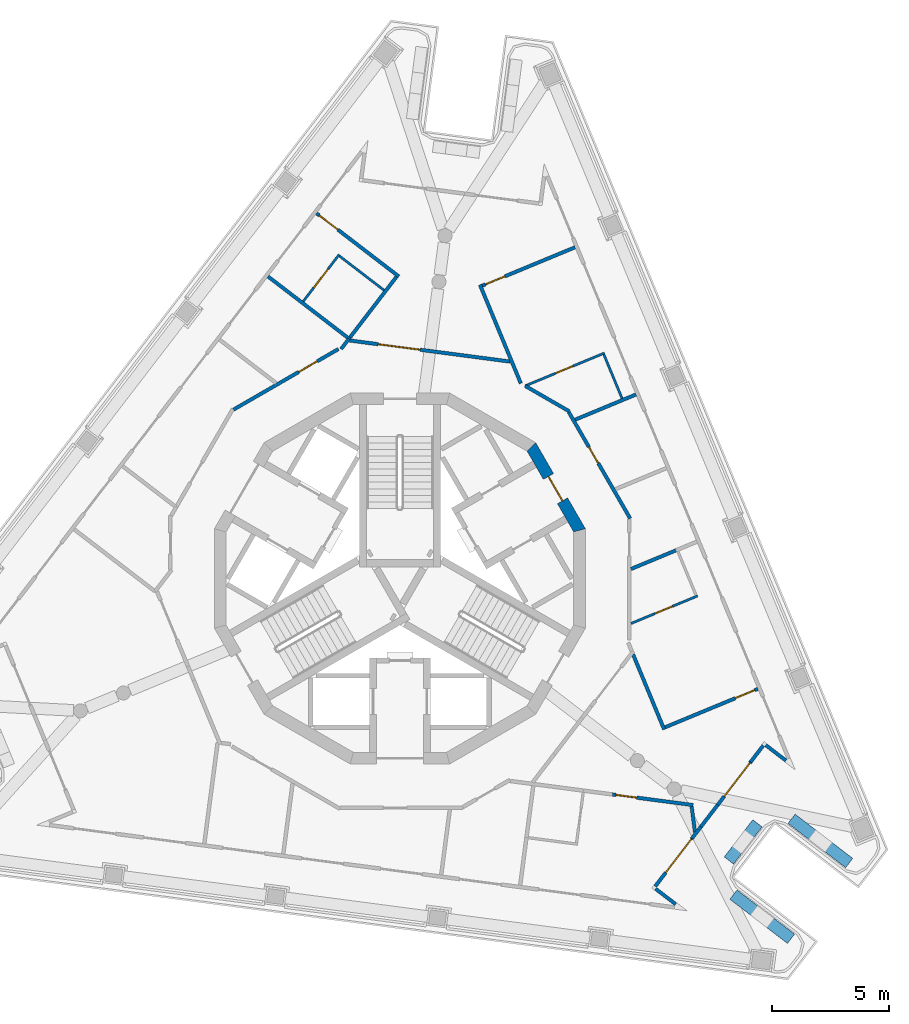
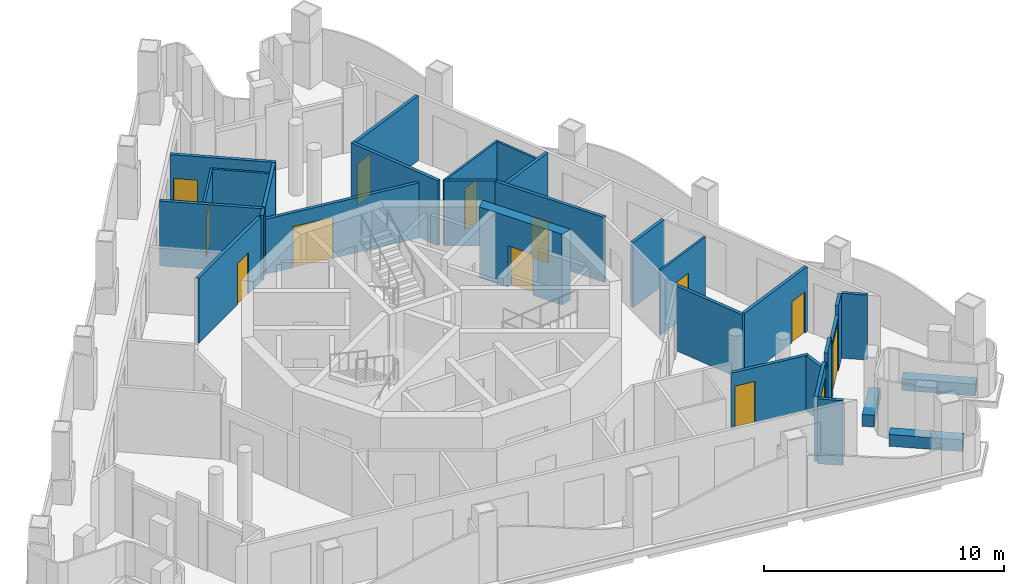
# One storey, part 5 of 12: 32 walls, 13 doors, 13 openings.
"""IFC4 building model written with IfcOpenShell, lengths in metres."""

from ifc_helpers import new_model, si_unit, direction, frame, frame_2d, origin, place, context, subcontext, project, spatial, polyline, rectangle, outline, extrude, material, layer, layer_set, type_object, element, fill, save


model = new_model("IFC4")

# Units and contexts
model_context = context("Model", 3, precision=1e-05, world=origin(), true_north=direction((0.0, 1.0)))
body_context = subcontext(model_context, "Body", "Model", "MODEL_VIEW")
ifc_project = project(units=[si_unit("LENGTHUNIT", "METRE"), si_unit("AREAUNIT", "SQUARE_METRE"), si_unit("VOLUMEUNIT", "CUBIC_METRE"), si_unit("PLANEANGLEUNIT", "RADIAN"), si_unit("MASSUNIT", "GRAM", prefix="KILO")], contexts=[model_context])

# Site, building, storey
site_placement = place(None, origin())
site = spatial("IfcSite", under=ifc_project, at=site_placement, CompositionType="ELEMENT")
building_placement = place(site_placement, origin())
building = spatial("IfcBuilding", under=site, at=building_placement, Name="Trine Commons Tower", CompositionType="ELEMENT")
storey_placement = place(building_placement, frame((0.0, 0.0, 289.800048828125)))
storey = spatial("IfcBuildingStorey", under=building, at=storey_placement, Name="L76", CompositionType="ELEMENT", Elevation=289.800048828125)

# Walls
ifc_material_1 = material(Name="Aluminium-framed insulated wall panel", Category="aluminium")
ifc_layer_1 = layer(ifc_material_1, 0.14990234375)
ifc_layer_set_1 = layer_set([ifc_layer_1], Name="Aluminium-framed insulated wall panel")
wall_type_1 = type_object("IfcWallType", Name="Glazed frame wall 150, EI 60", PredefinedType="SOLIDWALL", material=ifc_layer_set_1)
wall_1_placement = place(storey_placement, frame((96.600830078125, 54.633544921875, 0.0), z_axis=(0.0, 0.0, 1.0), x_axis=(-0.793352136239, 0.608762998157, 0.0)))
element("IfcWall", 1, at=wall_1_placement, inside=storey, type_object=wall_type_1, Name="Glazed frame wall R6", PredefinedType="SOLIDWALL", context=body_context, shape_type="SweptSolid", body=[
    extrude(outline(polyline([(0.1494140625, 0.074951171875), (0.1494140625, -0.074951171875), (1.235107421875, -0.074951171875), (1.235107421875, 0.074951171875), (0.1494140625, 0.074951171875)])), origin(), (0.0, 0.0, 1.0), 3.300048828125),
])
wall_2_placement = place(storey_placement, frame((95.582763671875, 55.458740234375, 0.0), z_axis=(0.0, 0.0, 1.0), x_axis=(-0.60863653794, -0.793449156962, 0.0)))
element("IfcWall", 2, at=wall_2_placement, inside=storey, type_object=wall_type_1, Name="Glazed frame wall P2.1", PredefinedType="SOLIDWALL", context=body_context, shape_type="SweptSolid", body=[
    extrude(outline(polyline([(0.110107421875, -0.074951171875), (1.0, -0.074951171875), (1.0, 0.074951171875), (0.110107421875, 0.074951171875), (0.110107421875, -0.074951171875)])), origin(), (0.0, 0.0, 1.0), 3.300048828125),
])

# Wall, opening, door
wall_3_placement = place(storey_placement, frame((94.97412109375, 54.665283203125, 0.0), z_axis=(0.0, 0.0, 1.0), x_axis=(-0.608821878019, -0.793306952475, 0.0)))
wall_3 = element("IfcWall", 3, at=wall_3_placement, inside=storey, type_object=wall_type_1, Name="Glazed frame wall P2.2", PredefinedType="SOLIDWALL", context=body_context, shape_type="SweptSolid", body=[
    extrude(outline(polyline([(0.0, -0.074951171875), (2.310791015625, -0.074951171875), (2.310791015625, 0.074951171875), (0.0, 0.074951171875), (0.0, -0.074951171875)])), origin(), (0.0, 0.0, 1.0), 2.800048828125),
])
opening_1_placement = place(wall_3_placement, frame((0.050048828125, 0.0, 0.0)))
opening_1 = element("IfcOpeningElement", 4, at=opening_1_placement, cuts=wall_3, Name="Opening BD-8P2-01", PredefinedType="OPENING", context=body_context, shape_type="SweptSolid", body=[
    extrude(rectangle(XDim=1.800048828125, YDim=2.60009765625, at=frame_2d((0.89990234375, 1.300048828125))), frame((0.0, 0.0849609375, 0.0), z_axis=(0.0, -1.0, 0.0), x_axis=(1.0, 0.0, 0.0)), (0.0, 0.0, 1.0), 0.169921875),
])
ifc_material_2 = material(Name="Anodised aluminium frame with double glazing", Category="aluminium")
door_type_1 = type_object("IfcDoorType", Name="Sliding loggia door 1800x2600", OperationType="SLIDING_TO_LEFT", PredefinedType="DOOR", material=ifc_material_2)
door_1_placement = place(opening_1_placement, origin())
door_1 = element("IfcDoor", 5, at=door_1_placement, inside=storey, type_object=door_type_1, Name="Loggia door P2 1", OperationType="SLIDING_TO_LEFT", OverallHeight=2.60009765625, OverallWidth=1.800048828125, PredefinedType="DOOR", context=body_context, shape_type="SweptSolid", body=[
    extrude(rectangle(XDim=1.800048828125, YDim=2.60009765625, at=frame_2d((0.89990234375, 1.300048828125))), frame((0.0, 0.02490234375, 0.0), z_axis=(0.0, -1.0, 0.0), x_axis=(1.0, 0.0, 0.0)), (0.0, 0.0, 1.0), 0.050048828125),
])
fill(opening_1, door_1)

# Walls
wall_4_placement = place(storey_placement, frame((93.5673828125, 52.832275390625, 0.0), z_axis=(0.0, 0.0, 1.0), x_axis=(-0.608779373124, -0.793339570965, 0.0)))
element("IfcWall", 6, at=wall_4_placement, inside=storey, type_object=wall_type_1, Name="Glazed frame wall P2.3", PredefinedType="SOLIDWALL", context=body_context, shape_type="SweptSolid", body=[
    extrude(outline(polyline([(0.0, -0.074951171875), (1.1787109375, -0.074951171875), (1.1787109375, 0.074951171875), (0.0, 0.074951171875), (0.0, -0.074951171875)])), origin(), (0.0, 0.0, 1.0), 3.300048828125),
])
wall_5_placement = place(storey_placement, frame((92.849853515625, 51.897216796875, 0.0), z_axis=(0.0, 0.0, 1.0), x_axis=(-0.608636160299, -0.793449446642, 0.0)))
element("IfcWall", 7, at=wall_5_placement, inside=storey, type_object=wall_type_1, Name="Glazed frame wall P2.4", PredefinedType="SOLIDWALL", context=body_context, shape_type="SweptSolid", body=[
    extrude(outline(polyline([(0.0, -0.074951171875), (0.6259765625, -0.074951171875), (0.6259765625, 0.074951171875), (0.0, 0.074951171875), (0.0, -0.074951171875)])), origin(), (0.0, 0.0, 1.0), 2.800048828125),
])

# Wall, opening, door
wall_6_placement = place(storey_placement, frame((92.46875, 51.400390625, 0.0), z_axis=(0.0, 0.0, 1.0), x_axis=(-0.608752233998, -0.793360395787, 0.0)))
wall_6 = element("IfcWall", 8, at=wall_6_placement, inside=storey, type_object=wall_type_1, Name="Glazed frame wall P2.5", PredefinedType="SOLIDWALL", context=body_context, shape_type="SweptSolid", body=[
    extrude(outline(polyline([(2.57470703125, 0.074951171875), (0.0, 0.074951171875), (0.0, -0.074951171875), (2.57470703125, -0.074951171875), (2.57470703125, 0.074951171875)])), origin(), (0.0, 0.0, 1.0), 3.300048828125),
])
opening_2_placement = place(wall_6_placement, frame((0.03466796875, 0.0, 0.0)))
opening_2 = element("IfcOpeningElement", 9, at=opening_2_placement, cuts=wall_6, Name="Opening BD-8P2-02", PredefinedType="OPENING", context=body_context, shape_type="SweptSolid", body=[
    extrude(rectangle(XDim=1.800048828125, YDim=2.60009765625, at=frame_2d((0.89990234375, 1.300048828125))), frame((0.0, 0.0849609375, 0.0), z_axis=(0.0, -1.0, 0.0), x_axis=(1.0, 0.0, 0.0)), (0.0, 0.0, 1.0), 0.169921875),
])
door_2_placement = place(opening_2_placement, origin())
door_2 = element("IfcDoor", 10, at=door_2_placement, inside=storey, type_object=door_type_1, Name="Loggia door P2 2", OperationType="SLIDING_TO_LEFT", OverallHeight=2.60009765625, OverallWidth=1.800048828125, PredefinedType="DOOR", context=body_context, shape_type="SweptSolid", body=[
    extrude(rectangle(XDim=1.800048828125, YDim=2.60009765625, at=frame_2d((0.89990234375, 1.300048828125))), frame((0.0, 0.02490234375, 0.0), z_axis=(0.0, -1.0, 0.0), x_axis=(1.0, 0.0, 0.0)), (0.0, 0.0, 1.0), 0.050048828125),
])
fill(opening_2, door_2)

# Walls
wall_7_placement = place(storey_placement, frame((90.827880859375, 49.319580078125, 0.0), z_axis=(0.0, 0.0, 1.0), x_axis=(0.793439797287, -0.608648739488, 0.0)))
element("IfcWall", 11, at=wall_7_placement, inside=storey, type_object=wall_type_1, Name="Glazed frame wall R8", PredefinedType="SOLIDWALL", context=body_context, shape_type="SweptSolid", body=[
    extrude(outline(polyline([(0.110107421875, 0.074951171875), (0.110107421875, -0.074951171875), (1.19580078125, -0.074951171875), (1.19580078125, 0.074951171875), (0.110107421875, 0.074951171875)])), origin(), (0.0, 0.0, 1.0), 3.300048828125),
])
ifc_material_3 = material(Name="Planter trough, precast concrete C40/50", Category="concrete")
ifc_layer_2 = layer(ifc_material_3, 0.5)
ifc_layer_set_2 = layer_set([ifc_layer_2], Name="Planter trough, precast concrete C40/50")
wall_type_2 = type_object("IfcWallType", Name="Planter trough 500x600", PredefinedType="PARAPET", material=ifc_layer_set_2)
wall_8_placement = place(storey_placement, frame((99.182861328125, 50.351806640625, 0.0), z_axis=(0.0, 0.0, 1.0), x_axis=(-0.793355321014, 0.608758847671, 0.0)))
element("IfcWall", 12, at=wall_8_placement, inside=storey, type_object=wall_type_2, Name="Planter 7", PredefinedType="PARAPET", context=body_context, shape_type="SweptSolid", body=[
    extrude(rectangle(XDim=3.10009765625, YDim=0.5, at=frame_2d((1.550048828125, 0.0))), origin(), (0.0, 0.0, 1.0), 0.599853515625),
])
wall_9_placement = place(storey_placement, frame((95.265380859375, 52.047119140625, 0.0), z_axis=(0.0, 0.0, 1.0), x_axis=(-0.608790203715, -0.793331259853, 0.0)))
element("IfcWall", 13, at=wall_9_placement, inside=storey, type_object=wall_type_2, Name="Planter 8", PredefinedType="PARAPET", context=body_context, shape_type="SweptSolid", body=[
    extrude(rectangle(XDim=2.000244140625, YDim=0.5, at=frame_2d((1.0, 0.0))), origin(), (0.0, 0.0, 1.0), 0.599853515625),
])
wall_10_placement = place(storey_placement, frame((94.23974609375, 49.002197265625, 0.0), z_axis=(0.0, 0.0, 1.0), x_axis=(0.793355321014, -0.608758847671, 0.0)))
element("IfcWall", 14, at=wall_10_placement, inside=storey, type_object=wall_type_2, Name="Planter 9", PredefinedType="PARAPET", context=body_context, shape_type="SweptSolid", body=[
    extrude(rectangle(XDim=3.10009765625, YDim=0.5, at=frame_2d((1.550048828125, 0.0))), origin(), (0.0, 0.0, 1.0), 0.599853515625),
])

# Wall, opening, door
ifc_material_4 = material(Name="Concrete C50/60", Category="concrete")
ifc_layer_3 = layer(ifc_material_4, 0.5)
ifc_layer_set_3 = layer_set([ifc_layer_3], Name="Concrete C50/60")
wall_type_3 = type_object("IfcWallType", Name="RC shear wall 500 mm, C50/60", PredefinedType="SHEAR", material=ifc_layer_set_3)
wall_11_placement = place(storey_placement, frame((87.7041015625, 64.497314453125, 0.0), z_axis=(0.0, 0.0, 1.0), x_axis=(-0.499992968425, 0.866029463428, 0.0)))
wall_11 = element("IfcWall", 15, at=wall_11_placement, inside=storey, type_object=wall_type_3, Name="Core wall CWH-02 L76", PredefinedType="SHEAR", context=body_context, shape_type="SweptSolid", body=[
    extrude(outline(polyline([(0.0, -0.25), (4.24462890625, -0.25), (4.110595703125, 0.25), (0.134033203125, 0.25), (0.0, -0.25)])), origin(), (0.0, 0.0, 1.0), 3.599853515625),
])
opening_3_placement = place(wall_11_placement, frame((1.5224609375, 0.0, 0.0)))
opening_3 = element("IfcOpeningElement", 16, at=opening_3_placement, cuts=wall_11, Name="Opening K18.04", PredefinedType="OPENING", context=body_context, shape_type="SweptSolid", body=[
    extrude(rectangle(XDim=1.199951171875, YDim=2.10009765625, at=frame_2d((0.60009765625, 1.050048828125))), frame((0.0, 0.260009765625, 0.0), z_axis=(0.0, -1.0, 0.0), x_axis=(1.0, 0.0, 0.0)), (0.0, 0.0, 1.0), 0.52001953125),
])
ifc_material_5 = material(Name="Steel door leaves, fire-rated", Category="steel")
door_type_2 = type_object("IfcDoorType", Name="Lobby door, double leaf 1200 x 2100, FD60", OperationType="DOUBLE_DOOR_SINGLE_SWING", PredefinedType="DOOR", material=ifc_material_5)
door_3_placement = place(opening_3_placement, origin())
door_3 = element("IfcDoor", 17, at=door_3_placement, inside=storey, type_object=door_type_2, Name="Lobby door, Core lounge L76", OperationType="DOUBLE_DOOR_SINGLE_SWING", OverallHeight=2.10009765625, OverallWidth=1.199951171875, PredefinedType="DOOR", context=body_context, shape_type="SweptSolid", body=[
    extrude(rectangle(XDim=1.199951171875, YDim=2.10009765625, at=frame_2d((0.60009765625, 1.050048828125))), frame((0.0, 0.02490234375, 0.0), z_axis=(0.0, -1.0, 0.0), x_axis=(1.0, 0.0, 0.0)), (0.0, 0.0, 1.0), 0.050048828125),
])
fill(opening_3, door_3)

ifc_material_6 = material(Name="Gypsum plasterboard on steel stud", Category="steel")
ifc_layer_4 = layer(ifc_material_6, 0.14990234375)
ifc_layer_set_4 = layer_set([ifc_layer_4], Name="Gypsum plasterboard on steel stud")
wall_type_4 = type_object("IfcWallType", Name="Unit and corridor wall 150 mm, EI 60", PredefinedType="PARTITIONING", material=ifc_layer_set_4)
wall_12_placement = place(storey_placement, frame((72.893798828125, 69.70849609375, 0.0), z_axis=(0.0, 0.0, 1.0), x_axis=(0.866010370781, 0.500026037022, 0.0)))
wall_12 = element("IfcWall", 18, at=wall_12_placement, inside=storey, type_object=wall_type_4, Name="Partition 014", PredefinedType="PARTITIONING", context=body_context, shape_type="SweptSolid", body=[
    extrude(rectangle(XDim=5.174560546875, YDim=0.14990234375, at=frame_2d((2.58740234375, 0.0))), origin(), (0.0, 0.0, 1.0), 3.300048828125),
])
opening_4_placement = place(wall_12_placement, frame((3.223876953125, 0.0, 0.0)))
opening_4 = element("IfcOpeningElement", 19, at=opening_4_placement, cuts=wall_12, Name="Opening D-8B06", PredefinedType="OPENING", context=body_context, shape_type="SweptSolid", body=[
    extrude(rectangle(XDim=0.89990234375, YDim=2.10009765625, at=frame_2d((0.449951171875, 1.050048828125))), frame((0.0, 0.0849609375, 0.0), z_axis=(0.0, -1.0, 0.0), x_axis=(1.0, 0.0, 0.0)), (0.0, 0.0, 1.0), 0.169921875),
])
ifc_material_7 = material(Name="Timber fire door set", Category="wood")
door_type_3 = type_object("IfcDoorType", Name="Service door 900 x 2100, FD30S", OperationType="NOTDEFINED", PredefinedType="DOOR", material=ifc_material_7)
door_4_placement = place(opening_4_placement, origin())
door_4 = element("IfcDoor", 20, at=door_4_placement, inside=storey, type_object=door_type_3, Name="Door D-8B06", OperationType="SINGLE_SWING_RIGHT", OverallHeight=2.10009765625, OverallWidth=0.89990234375, PredefinedType="DOOR", context=body_context, shape_type="SweptSolid", body=[
    extrude(rectangle(XDim=0.89990234375, YDim=2.10009765625, at=frame_2d((0.449951171875, 1.050048828125))), frame((0.0, 0.02490234375, 0.0), z_axis=(0.0, -1.0, 0.0), x_axis=(1.0, 0.0, 0.0)), (0.0, 0.0, 1.0), 0.050048828125),
])
fill(opening_4, door_4)

# Wall
wall_13_placement = place(storey_placement, frame((74.36865234375, 75.39453125, 0.0), z_axis=(0.0, 0.0, 1.0), x_axis=(0.793339619552, -0.608779309807, 0.0)))
element("IfcWall", 21, at=wall_13_placement, inside=storey, type_object=wall_type_4, Name="Partition 015", PredefinedType="PARTITIONING", context=body_context, shape_type="SweptSolid", body=[
    extrude(rectangle(XDim=4.435546875, YDim=0.14990234375, at=frame_2d((2.2177734375, 0.0))), origin(), (0.0, 0.0, 1.0), 3.300048828125),
])

# Wall, opening, door
wall_14_placement = place(storey_placement, frame((76.438720703125, 78.092529296875, 0.0), z_axis=(0.0, 0.0, 1.0), x_axis=(0.793339619552, -0.608779309807, 0.0)))
wall_14 = element("IfcWall", 22, at=wall_14_placement, inside=storey, type_object=wall_type_4, Name="Partition 018", PredefinedType="PARTITIONING", context=body_context, shape_type="SweptSolid", body=[
    extrude(rectangle(XDim=4.435546875, YDim=0.14990234375, at=frame_2d((2.2177734375, 0.0))), origin(), (0.0, 0.0, 1.0), 3.300048828125),
])
opening_5_placement = place(wall_14_placement, frame((0.14990234375, 0.0, 0.0)))
opening_5 = element("IfcOpeningElement", 23, at=opening_5_placement, cuts=wall_14, Name="Opening D-8B07", PredefinedType="OPENING", context=body_context, shape_type="SweptSolid", body=[
    extrude(rectangle(XDim=1.0, YDim=2.10009765625, at=frame_2d((0.5, 1.050048828125))), frame((0.0, 0.0849609375, 0.0), z_axis=(0.0, -1.0, 0.0), x_axis=(1.0, 0.0, 0.0)), (0.0, 0.0, 1.0), 0.169921875),
])
door_type_4 = type_object("IfcDoorType", Name="Bedroom door 1000 x 2100, FD30S", OperationType="NOTDEFINED", PredefinedType="DOOR", material=ifc_material_7)
door_5_placement = place(opening_5_placement, frame((1.0, 0.0, 0.0), z_axis=(0.0, 0.0, 1.0), x_axis=(-1.0, 0.0, 0.0)))
door_5 = element("IfcDoor", 24, at=door_5_placement, inside=storey, type_object=door_type_4, Name="Door D-8B07", OperationType="SINGLE_SWING_RIGHT", OverallHeight=2.10009765625, OverallWidth=1.0, PredefinedType="DOOR", context=body_context, shape_type="SweptSolid", body=[
    extrude(rectangle(XDim=1.0, YDim=2.10009765625, at=frame_2d((0.5, 1.050048828125))), frame((0.0, 0.02490234375, 0.0), z_axis=(0.0, -1.0, 0.0), x_axis=(1.0, 0.0, 0.0)), (0.0, 0.0, 1.0), 0.050048828125),
])
fill(opening_5, door_5)

# Wall
wall_15_placement = place(storey_placement, frame((77.487060546875, 72.2958984375, 0.0), z_axis=(0.0, 0.0, 1.0), x_axis=(0.608207837142, 0.793777819569, 0.0)))
element("IfcWall", 25, at=wall_15_placement, inside=storey, type_object=wall_type_4, Name="Partition 021", PredefinedType="PARTITIONING", context=body_context, shape_type="SweptSolid", body=[
    extrude(rectangle(XDim=0.550048828125, YDim=0.14990234375, at=frame_2d((0.27490234375, 0.0))), origin(), (0.0, 0.0, 1.0), 3.300048828125),
])

# Wall, opening, door
wall_16_placement = place(storey_placement, frame((77.850341796875, 72.6630859375, 0.0), z_axis=(0.0, 0.0, 1.0), x_axis=(0.991450329661, -0.130484649732, 0.0)))
wall_16 = element("IfcWall", 26, at=wall_16_placement, inside=storey, type_object=wall_type_4, Name="Partition 022", PredefinedType="PARTITIONING", context=body_context, shape_type="SweptSolid", body=[
    extrude(rectangle(XDim=6.915283203125, YDim=0.14990234375, at=frame_2d((3.45751953125, 0.0))), origin(), (0.0, 0.0, 1.0), 2.800048828125),
])
opening_6_placement = place(wall_16_placement, frame((1.236572265625, 0.0, 0.0)))
opening_6 = element("IfcOpeningElement", 27, at=opening_6_placement, cuts=wall_16, Name="Opening D-8B01", PredefinedType="OPENING", context=body_context, shape_type="SweptSolid", body=[
    extrude(rectangle(XDim=1.800048828125, YDim=2.10009765625, at=frame_2d((0.89990234375, 1.050048828125))), frame((0.0, 0.0849609375, 0.0), z_axis=(0.0, -1.0, 0.0), x_axis=(1.0, 0.0, 0.0)), (0.0, 0.0, 1.0), 0.169921875),
])
door_type_5 = type_object("IfcDoorType", Name="Cluster entrance door 1800 x 2100, double leaf, FD30S", OperationType="DOUBLE_DOOR_DOUBLE_SWING", PredefinedType="DOOR", material=ifc_material_7)
door_6_placement = place(opening_6_placement, origin())
door_6 = element("IfcDoor", 28, at=door_6_placement, inside=storey, type_object=door_type_5, Name="Door D-8B01", OperationType="DOUBLE_DOOR_DOUBLE_SWING", OverallHeight=2.10009765625, OverallWidth=1.800048828125, PredefinedType="DOOR", context=body_context, shape_type="SweptSolid", body=[
    extrude(rectangle(XDim=1.800048828125, YDim=2.10009765625, at=frame_2d((0.89990234375, 1.050048828125))), frame((0.0, 0.02490234375, 0.0), z_axis=(0.0, -1.0, 0.0), x_axis=(1.0, 0.0, 0.0)), (0.0, 0.0, 1.0), 0.050048828125),
])
fill(opening_6, door_6)

# Walls
wall_17_placement = place(storey_placement, frame((77.873779296875, 72.799560546875, 0.0), z_axis=(0.0, 0.0, 1.0), x_axis=(0.608701151958, 0.793399588861, 0.0)))
element("IfcWall", 29, at=wall_17_placement, inside=storey, type_object=wall_type_4, Name="Partition 023", PredefinedType="PARTITIONING", context=body_context, shape_type="SweptSolid", body=[
    extrude(rectangle(XDim=3.25048828125, YDim=0.14990234375, at=frame_2d((1.625244140625, 0.0))), origin(), (0.0, 0.0, 1.0), 3.300048828125),
])
wall_18_placement = place(storey_placement, frame((83.418212890625, 75.040283203125, 0.0), z_axis=(0.0, 0.0, 1.0), x_axis=(0.382754048206, -0.923850279311, 0.0)))
element("IfcWall", 30, at=wall_18_placement, inside=storey, type_object=wall_type_4, Name="Partition 026", PredefinedType="PARTITIONING", context=body_context, shape_type="SweptSolid", body=[
    extrude(rectangle(XDim=4.55615234375, YDim=0.14990234375, at=frame_2d((2.278076171875, 0.0))), origin(), (0.0, 0.0, 1.0), 3.300048828125),
])

# Wall, opening, door
wall_19_placement = place(storey_placement, frame((83.516357421875, 74.999755859375, 0.0), z_axis=(0.0, 0.0, 1.0), x_axis=(0.923868914467, 0.382709065586, 0.0)))
wall_19 = element("IfcWall", 31, at=wall_19_placement, inside=storey, type_object=wall_type_4, Name="Partition 027", PredefinedType="PARTITIONING", context=body_context, shape_type="SweptSolid", body=[
    extrude(rectangle(XDim=4.284912109375, YDim=0.14990234375, at=frame_2d((2.142578125, 0.0))), origin(), (0.0, 0.0, 1.0), 3.300048828125),
])
opening_7_placement = place(wall_19_placement, frame((0.14990234375, 0.0, 0.0)))
opening_7 = element("IfcOpeningElement", 32, at=opening_7_placement, cuts=wall_19, Name="Opening D-8B08", PredefinedType="OPENING", context=body_context, shape_type="SweptSolid", body=[
    extrude(rectangle(XDim=0.89990234375, YDim=2.10009765625, at=frame_2d((0.449951171875, 1.050048828125))), frame((0.0, 0.0849609375, 0.0), z_axis=(0.0, -1.0, 0.0), x_axis=(1.0, 0.0, 0.0)), (0.0, 0.0, 1.0), 0.169921875),
])
door_type_6 = type_object("IfcDoorType", Name="Bedroom door 900 x 2100, FD30S", OperationType="NOTDEFINED", PredefinedType="DOOR", material=ifc_material_7)
door_7_placement = place(opening_7_placement, frame((0.89990234375, 0.0, 0.0), z_axis=(0.0, 0.0, 1.0), x_axis=(-1.0, 0.0, 0.0)))
door_7 = element("IfcDoor", 33, at=door_7_placement, inside=storey, type_object=door_type_6, Name="Door D-8B08", OperationType="SINGLE_SWING_RIGHT", OverallHeight=2.10009765625, OverallWidth=0.89990234375, PredefinedType="DOOR", context=body_context, shape_type="SweptSolid", body=[
    extrude(rectangle(XDim=0.89990234375, YDim=2.10009765625, at=frame_2d((0.449951171875, 1.050048828125))), frame((0.0, 0.02490234375, 0.0), z_axis=(0.0, -1.0, 0.0), x_axis=(1.0, 0.0, 0.0)), (0.0, 0.0, 1.0), 0.050048828125),
])
fill(opening_7, door_7)

# Wall
wall_20_placement = place(storey_placement, frame((85.344970703125, 70.72509765625, 0.0), z_axis=(0.0, 0.0, 1.0), x_axis=(0.866081326898, -0.499903125815, 0.0)))
element("IfcWall", 34, at=wall_20_placement, inside=storey, type_object=wall_type_4, Name="Partition 030", PredefinedType="PARTITIONING", context=body_context, shape_type="SweptSolid", body=[
    extrude(rectangle(XDim=2.18359375, YDim=0.14990234375, at=frame_2d((1.091796875, 0.0))), origin(), (0.0, 0.0, 1.0), 3.300048828125),
])

# Wall, opening, door
wall_21_placement = place(storey_placement, frame((87.20849609375, 69.606201171875, 0.0), z_axis=(0.0, 0.0, 1.0), x_axis=(0.500040482552, -0.866002029911, 0.0)))
wall_21 = element("IfcWall", 35, at=wall_21_placement, inside=storey, type_object=wall_type_4, Name="Partition 036", PredefinedType="PARTITIONING", context=body_context, shape_type="SweptSolid", body=[
    extrude(rectangle(XDim=5.24951171875, YDim=0.14990234375, at=frame_2d((2.624755859375, 0.0))), origin(), (0.0, 0.0, 1.0), 3.300048828125),
])
opening_8_placement = place(wall_21_placement, frame((1.724609375, 0.0, 0.0)))
opening_8 = element("IfcOpeningElement", 36, at=opening_8_placement, cuts=wall_21, Name="Opening D-8B09", PredefinedType="OPENING", context=body_context, shape_type="SweptSolid", body=[
    extrude(rectangle(XDim=0.800048828125, YDim=2.10009765625, at=frame_2d((0.39990234375, 1.050048828125))), frame((0.0, 0.0849609375, 0.0), z_axis=(0.0, -1.0, 0.0), x_axis=(1.0, 0.0, 0.0)), (0.0, 0.0, 1.0), 0.169921875),
])
ifc_material_8 = material(Name="Painted timber", Category="wood")
door_type_7 = type_object("IfcDoorType", Name="Toilet door 800 x 2100, NOT RATED", OperationType="NOTDEFINED", PredefinedType="DOOR", material=ifc_material_8)
door_8_placement = place(opening_8_placement, origin())
door_8 = element("IfcDoor", 37, at=door_8_placement, inside=storey, type_object=door_type_7, Name="Door D-8B09", OperationType="SINGLE_SWING_LEFT", OverallHeight=2.10009765625, OverallWidth=0.800048828125, PredefinedType="DOOR", context=body_context, shape_type="SweptSolid", body=[
    extrude(rectangle(XDim=0.800048828125, YDim=2.10009765625, at=frame_2d((0.39990234375, 1.050048828125))), frame((0.0, 0.02490234375, 0.0), z_axis=(0.0, -1.0, 0.0), x_axis=(1.0, 0.0, 0.0)), (0.0, 0.0, 1.0), 0.050048828125),
])
fill(opening_8, door_8)

# Wall
wall_22_placement = place(storey_placement, frame((87.482421875, 69.27978515625, 0.0), z_axis=(0.0, 0.0, 1.0), x_axis=(0.923772104672, 0.382942683218, 0.0)))
element("IfcWall", 38, at=wall_22_placement, inside=storey, type_object=wall_type_4, Name="Partition 037", PredefinedType="PARTITIONING", context=body_context, shape_type="SweptSolid", body=[
    extrude(rectangle(XDim=2.8095703125, YDim=0.14990234375, at=frame_2d((1.40478515625, 0.0))), origin(), (0.0, 0.0, 1.0), 3.300048828125),
])

# Wall, opening, door
wall_23_placement = place(storey_placement, frame((89.075927734375, 53.279052734375, 0.0), z_axis=(0.0, 0.0, 1.0), x_axis=(0.991440664794, -0.130558064451, 0.0)))
wall_23 = element("IfcWall", 39, at=wall_23_placement, inside=storey, type_object=wall_type_4, Name="Partition 043", PredefinedType="PARTITIONING", context=body_context, shape_type="SweptSolid", body=[
    extrude(rectangle(XDim=3.476318359375, YDim=0.14990234375, at=frame_2d((1.73828125, 0.0))), origin(), (0.0, 0.0, 1.0), 2.800048828125),
])
opening_9_placement = place(wall_23_placement, frame((0.14990234375, 0.0, 0.0)))
opening_9 = element("IfcOpeningElement", 40, at=opening_9_placement, cuts=wall_23, Name="Opening D-8B12", PredefinedType="OPENING", context=body_context, shape_type="SweptSolid", body=[
    extrude(rectangle(XDim=0.89990234375, YDim=2.10009765625, at=frame_2d((0.449951171875, 1.050048828125))), frame((0.0, 0.0849609375, 0.0), z_axis=(0.0, -1.0, 0.0), x_axis=(1.0, 0.0, 0.0)), (0.0, 0.0, 1.0), 0.169921875),
])
door_9_placement = place(opening_9_placement, frame((0.89990234375, 0.0, 0.0), z_axis=(0.0, 0.0, 1.0), x_axis=(-1.0, 0.0, 0.0)))
door_9 = element("IfcDoor", 41, at=door_9_placement, inside=storey, type_object=door_type_6, Name="Door D-8B12", OperationType="SINGLE_SWING_RIGHT", OverallHeight=2.10009765625, OverallWidth=0.89990234375, PredefinedType="DOOR", context=body_context, shape_type="SweptSolid", body=[
    extrude(rectangle(XDim=0.89990234375, YDim=2.10009765625, at=frame_2d((0.449951171875, 1.050048828125))), frame((0.0, 0.02490234375, 0.0), z_axis=(0.0, -1.0, 0.0), x_axis=(1.0, 0.0, 0.0)), (0.0, 0.0, 1.0), 0.050048828125),
])
fill(opening_9, door_9)

# Walls
wall_24_placement = place(storey_placement, frame((89.865234375, 62.90478515625, 0.0), z_axis=(0.0, 0.0, 1.0), x_axis=(0.923699797902, 0.383117062209, 0.0)))
element("IfcWall", 42, at=wall_24_placement, inside=storey, type_object=wall_type_4, Name="Partition 048", PredefinedType="PARTITIONING", context=body_context, shape_type="SweptSolid", body=[
    extrude(rectangle(XDim=2.14111328125, YDim=0.14990234375, at=frame_2d((1.070556640625, 0.0))), origin(), (0.0, 0.0, 1.0), 3.300048828125),
])
wall_25_placement = place(storey_placement, frame((89.9541015625, 59.260986328125, 0.0), z_axis=(0.0, 0.0, 1.0), x_axis=(0.382794280672, -0.923833609848, 0.0)))
element("IfcWall", 43, at=wall_25_placement, inside=storey, type_object=wall_type_4, Name="Partition 049", PredefinedType="PARTITIONING", context=body_context, shape_type="SweptSolid", body=[
    extrude(rectangle(XDim=3.475830078125, YDim=0.14990234375, at=frame_2d((1.73779296875, 0.0))), origin(), (0.0, 0.0, 1.0), 3.300048828125),
])

# Wall, opening, door
wall_26_placement = place(storey_placement, frame((91.3251953125, 56.147705078125, 0.0), z_axis=(0.0, 0.0, 1.0), x_axis=(0.923868914467, 0.382709065586, 0.0)))
wall_26 = element("IfcWall", 44, at=wall_26_placement, inside=storey, type_object=wall_type_4, Name="Partition 050", PredefinedType="PARTITIONING", context=body_context, shape_type="SweptSolid", body=[
    extrude(rectangle(XDim=4.284912109375, YDim=0.14990234375, at=frame_2d((2.142578125, 0.0))), origin(), (0.0, 0.0, 1.0), 3.300048828125),
])
opening_10_placement = place(wall_26_placement, frame((3.235107421875, 0.0, 0.0)))
opening_10 = element("IfcOpeningElement", 45, at=opening_10_placement, cuts=wall_26, Name="Opening D-8B11", PredefinedType="OPENING", context=body_context, shape_type="SweptSolid", body=[
    extrude(rectangle(XDim=0.89990234375, YDim=2.10009765625, at=frame_2d((0.449951171875, 1.050048828125))), frame((0.0, 0.0849609375, 0.0), z_axis=(0.0, -1.0, 0.0), x_axis=(1.0, 0.0, 0.0)), (0.0, 0.0, 1.0), 0.169921875),
])
door_10_placement = place(opening_10_placement, origin())
door_10 = element("IfcDoor", 46, at=door_10_placement, inside=storey, type_object=door_type_6, Name="Door D-8B11", OperationType="SINGLE_SWING_RIGHT", OverallHeight=2.10009765625, OverallWidth=0.89990234375, PredefinedType="DOOR", context=body_context, shape_type="SweptSolid", body=[
    extrude(rectangle(XDim=0.89990234375, YDim=2.10009765625, at=frame_2d((0.449951171875, 1.050048828125))), frame((0.0, 0.02490234375, 0.0), z_axis=(0.0, -1.0, 0.0), x_axis=(1.0, 0.0, 0.0)), (0.0, 0.0, 1.0), 0.050048828125),
])
fill(opening_10, door_10)

# Wall
wall_27_placement = place(storey_placement, frame((92.45751953125, 52.760498046875, 0.0), z_axis=(0.0, 0.0, 1.0), x_axis=(0.127865498342, -0.991791517575, 0.0)))
element("IfcWall", 47, at=wall_27_placement, inside=storey, type_object=wall_type_4, Name="Partition 053", PredefinedType="PARTITIONING", context=body_context, shape_type="SweptSolid", body=[
    extrude(rectangle(XDim=1.097900390625, YDim=0.14990234375, at=frame_2d((0.548828125, 0.0))), origin(), (0.0, 0.0, 1.0), 2.800048828125),
])

# Wall, opening, door
ifc_layer_5 = layer(ifc_material_6, 0.10009765625)
ifc_layer_set_5 = layer_set([ifc_layer_5], Name="Gypsum plasterboard on steel stud")
wall_type_5 = type_object("IfcWallType", Name="Unit partition 100 mm, no rating", PredefinedType="PARTITIONING", material=ifc_layer_set_5)
wall_28_placement = place(storey_placement, frame((75.874755859375, 74.33349609375, 0.0), z_axis=(0.0, 0.0, 1.0), x_axis=(0.608644686475, 0.793442906343, 0.0)))
wall_28 = element("IfcWall", 48, at=wall_28_placement, inside=storey, type_object=wall_type_5, Name="Partition 017", PredefinedType="PARTITIONING", context=body_context, shape_type="SweptSolid", body=[
    extrude(rectangle(XDim=2.524658203125, YDim=0.10009765625, at=frame_2d((1.26220703125, 0.0))), origin(), (0.0, 0.0, 1.0), 3.300048828125),
])
opening_11_placement = place(wall_28_placement, frame((0.7373046875, 0.0, 0.0)))
opening_11 = element("IfcOpeningElement", 49, at=opening_11_placement, cuts=wall_28, Name="Opening D-8B16", PredefinedType="OPENING", context=body_context, shape_type="SweptSolid", body=[
    extrude(rectangle(XDim=1.0, YDim=2.10009765625, at=frame_2d((0.5, 1.050048828125))), frame((0.0, 0.06005859375, 0.0), z_axis=(0.0, -1.0, 0.0), x_axis=(1.0, 0.0, 0.0)), (0.0, 0.0, 1.0), 0.1201171875),
])
door_type_8 = type_object("IfcDoorType", Name="Internal door 1000 x 2100, NOT RATED", OperationType="NOTDEFINED", PredefinedType="DOOR", material=ifc_material_8)
door_11_placement = place(opening_11_placement, origin())
door_11 = element("IfcDoor", 50, at=door_11_placement, inside=storey, type_object=door_type_8, Name="Door D-8B16", OperationType="SINGLE_SWING_LEFT", OverallHeight=2.10009765625, OverallWidth=1.0, PredefinedType="DOOR", context=body_context, shape_type="SweptSolid", body=[
    extrude(rectangle(XDim=1.0, YDim=2.10009765625, at=frame_2d((0.5, 1.050048828125))), frame((0.0, 0.02490234375, 0.0), z_axis=(0.0, -1.0, 0.0), x_axis=(1.0, 0.0, 0.0)), (0.0, 0.0, 1.0), 0.050048828125),
])
fill(opening_11, door_11)

# Wall
wall_29_placement = place(storey_placement, frame((77.420654296875, 76.2666015625, 0.0), z_axis=(0.0, 0.0, 1.0), x_axis=(0.793320776326, -0.608803864844, 0.0)))
element("IfcWall", 51, at=wall_29_placement, inside=storey, type_object=wall_type_5, Name="Partition 020", PredefinedType="PARTITIONING", context=body_context, shape_type="SweptSolid", body=[
    extrude(rectangle(XDim=2.394775390625, YDim=0.10009765625, at=frame_2d((1.197265625, 0.0))), origin(), (0.0, 0.0, 1.0), 3.300048828125),
])

# Wall, opening, door
wall_30_placement = place(storey_placement, frame((85.347900390625, 70.722900390625, 0.0), z_axis=(0.0, 0.0, 1.0), x_axis=(0.923890260687, 0.382657531231, 0.0)))
wall_30 = element("IfcWall", 52, at=wall_30_placement, inside=storey, type_object=wall_type_5, Name="Partition 031", PredefinedType="PARTITIONING", context=body_context, shape_type="SweptSolid", body=[
    extrude(rectangle(XDim=3.667236328125, YDim=0.10009765625, at=frame_2d((1.83349609375, 0.0))), origin(), (0.0, 0.0, 1.0), 3.300048828125),
])
opening_12_placement = place(wall_30_placement, frame((1.40869140625, 0.0, 0.0)))
opening_12 = element("IfcOpeningElement", 53, at=opening_12_placement, cuts=wall_30, Name="Opening D-8B17", PredefinedType="OPENING", context=body_context, shape_type="SweptSolid", body=[
    extrude(rectangle(XDim=0.800048828125, YDim=2.10009765625, at=frame_2d((0.39990234375, 1.050048828125))), frame((0.0, 0.06005859375, 0.0), z_axis=(0.0, -1.0, 0.0), x_axis=(1.0, 0.0, 0.0)), (0.0, 0.0, 1.0), 0.1201171875),
])
door_type_9 = type_object("IfcDoorType", Name="Internal door 800 x 2100, NOT RATED", OperationType="NOTDEFINED", PredefinedType="DOOR", material=ifc_material_8)
door_12_placement = place(opening_12_placement, origin())
door_12 = element("IfcDoor", 54, at=door_12_placement, inside=storey, type_object=door_type_9, Name="Door D-8B17", OperationType="SINGLE_SWING_LEFT", OverallHeight=2.10009765625, OverallWidth=0.800048828125, PredefinedType="DOOR", context=body_context, shape_type="SweptSolid", body=[
    extrude(rectangle(XDim=0.800048828125, YDim=2.10009765625, at=frame_2d((0.39990234375, 1.050048828125))), frame((0.0, 0.02490234375, 0.0), z_axis=(0.0, -1.0, 0.0), x_axis=(1.0, 0.0, 0.0)), (0.0, 0.0, 1.0), 0.050048828125),
])
fill(opening_12, door_12)

# Wall
wall_31_placement = place(storey_placement, frame((88.708984375, 72.060791015625, 0.0), z_axis=(0.0, 0.0, 1.0), x_axis=(0.382508001923, -0.923952178668, 0.0)))
element("IfcWall", 55, at=wall_31_placement, inside=storey, type_object=wall_type_5, Name="Partition 042", PredefinedType="PARTITIONING", context=body_context, shape_type="SweptSolid", body=[
    extrude(rectangle(XDim=2.024658203125, YDim=0.10009765625, at=frame_2d((1.01220703125, 0.0))), origin(), (0.0, 0.0, 1.0), 3.300048828125),
])

# Wall, opening, door
wall_32_placement = place(storey_placement, frame((89.865234375, 60.57763671875, 0.0), z_axis=(0.0, 0.0, 1.0), x_axis=(0.923828319661, 0.38280704773, 0.0)))
wall_32 = element("IfcWall", 56, at=wall_32_placement, inside=storey, type_object=wall_type_5, Name="Partition 047", PredefinedType="PARTITIONING", context=body_context, shape_type="SweptSolid", body=[
    extrude(rectangle(XDim=3.078369140625, YDim=0.10009765625, at=frame_2d((1.5390625, 0.0))), origin(), (0.0, 0.0, 1.0), 3.300048828125),
])
opening_13_placement = place(wall_32_placement, frame((1.1142578125, 0.0, 0.0)))
opening_13 = element("IfcOpeningElement", 57, at=opening_13_placement, cuts=wall_32, Name="Opening D-8B18", PredefinedType="OPENING", context=body_context, shape_type="SweptSolid", body=[
    extrude(rectangle(XDim=0.800048828125, YDim=2.10009765625, at=frame_2d((0.39990234375, 1.050048828125))), frame((0.0, 0.06005859375, 0.0), z_axis=(0.0, -1.0, 0.0), x_axis=(1.0, 0.0, 0.0)), (0.0, 0.0, 1.0), 0.1201171875),
])
door_13_placement = place(opening_13_placement, frame((0.800048828125, 0.0, 0.0), z_axis=(0.0, 0.0, 1.0), x_axis=(-1.0, 0.0, 0.0)))
door_13 = element("IfcDoor", 58, at=door_13_placement, inside=storey, type_object=door_type_9, Name="Door D-8B18", OperationType="SINGLE_SWING_RIGHT", OverallHeight=2.10009765625, OverallWidth=0.800048828125, PredefinedType="DOOR", context=body_context, shape_type="SweptSolid", body=[
    extrude(rectangle(XDim=0.800048828125, YDim=2.10009765625, at=frame_2d((0.39990234375, 1.050048828125))), frame((0.0, 0.02490234375, 0.0), z_axis=(0.0, -1.0, 0.0), x_axis=(1.0, 0.0, 0.0)), (0.0, 0.0, 1.0), 0.050048828125),
])
fill(opening_13, door_13)

save(model, "model.ifc")
